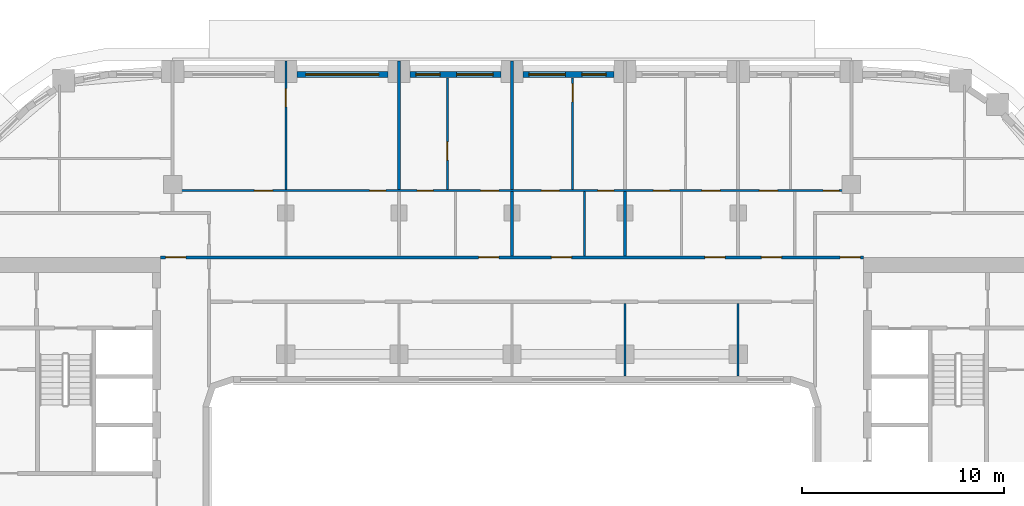
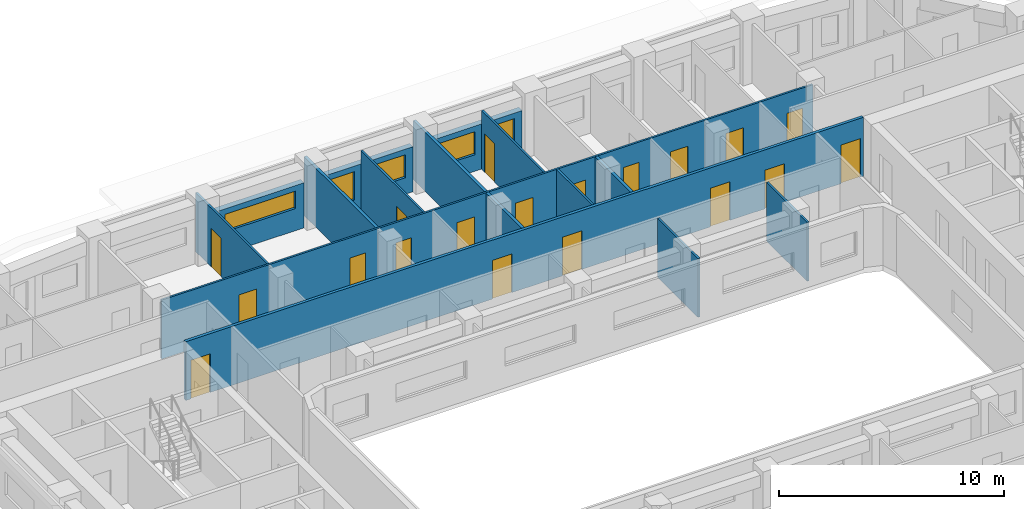
# One storey, part 8 of 22: 19 doors, 15 walls, 5 windows, 24 openings.
"""IFC4 building model written with IfcOpenShell, lengths in metres."""

from ifc_helpers import new_model, si_unit, direction, frame, frame_2d, origin, place, context, subcontext, project, spatial, rectangle, extrude, material, layer, layer_set, type_object, element, fill, save


model = new_model("IFC4")

# Units and contexts
model_context = context("Model", 3, precision=1e-05, world=origin(), true_north=direction((0.0, 1.0)))
body_context = subcontext(model_context, "Body", "Model", "MODEL_VIEW")
ifc_project = project(units=[si_unit("LENGTHUNIT", "METRE"), si_unit("AREAUNIT", "SQUARE_METRE"), si_unit("VOLUMEUNIT", "CUBIC_METRE"), si_unit("PLANEANGLEUNIT", "RADIAN"), si_unit("MASSUNIT", "GRAM", prefix="KILO")], contexts=[model_context])

# Site, building, storey
site_placement = place(None, origin())
site = spatial("IfcSite", under=ifc_project, at=site_placement, CompositionType="ELEMENT")
building_placement = place(site_placement, origin())
building = spatial("IfcBuilding", under=site, at=building_placement, Name="Kiln Ring Residences", CompositionType="ELEMENT")
storey_placement = place(building_placement, frame((0.0, 0.0, 139.60009765625)))
storey = spatial("IfcBuildingStorey", under=building, at=storey_placement, Name="L35", CompositionType="ELEMENT", Elevation=139.60009765625)

# Wall, openings, windows
ifc_material_1 = material(Name="Brick masonry, dark clay brick", Category="masonry")
ifc_layer_1 = layer(ifc_material_1, 0.300048828125)
ifc_layer_set_1 = layer_set([ifc_layer_1], Name="EW-300 BRICK WALL")
wall_type_1 = type_object("IfcWallType", Name="EW-300 BRICK WALL", PredefinedType="SOLIDWALL", material=ifc_layer_set_1)
wall_1_placement = place(storey_placement, frame((5.050048828125, 22.25, 0.0), z_axis=(0.0, 0.0, 1.0), x_axis=(-1.0, 0.0, 0.0)))
wall_1 = element("IfcWall", 1, at=wall_1_placement, inside=storey, type_object=wall_type_1, Name="Facade wall L35 31", PredefinedType="SOLIDWALL", context=body_context, shape_type="SweptSolid", body=[
    extrude(rectangle(XDim=4.5, YDim=0.300048828125, at=frame_2d((2.25, 0.0))), origin(), (0.0, 0.0, 1.0), 2.449951171875),
])
opening_1_placement = place(wall_1_placement, frame((0.387451171875, 0.0, 0.60009765625)))
opening_1 = element("IfcOpeningElement", 2, at=opening_1_placement, cuts=wall_1, Name="Opening W1", PredefinedType="OPENING", context=body_context, shape_type="SweptSolid", body=[
    extrude(rectangle(XDim=1.199951171875, YDim=1.550048828125, at=frame_2d((0.60009765625, 0.77490234375))), frame((0.0, 0.159912109375, 0.0), z_axis=(0.0, -1.0, 0.0), x_axis=(1.0, 0.0, 0.0)), (0.0, 0.0, 1.0), 0.320068359375),
])
opening_2_placement = place(wall_1_placement, frame((2.41259765625, 0.0, 0.89990234375)))
opening_2 = element("IfcOpeningElement", 3, at=opening_2_placement, cuts=wall_1, Name="Opening W2", PredefinedType="OPENING", context=body_context, shape_type="SweptSolid", body=[
    extrude(rectangle(XDim=1.800048828125, YDim=1.25, at=frame_2d((0.89990234375, 0.625))), frame((0.0, 0.159912109375, 0.0), z_axis=(0.0, -1.0, 0.0), x_axis=(1.0, 0.0, 0.0)), (0.0, 0.0, 1.0), 0.320068359375),
])
ifc_material_2 = material(Name="Aluminium frame with double glazing", Category="aluminium")
window_type_1 = type_object("IfcWindowType", Name="WINDOW 1200 x 1550", PartitioningType="SINGLE_PANEL", PredefinedType="WINDOW", material=ifc_material_2)
window_1_placement = place(opening_1_placement, origin())
window_1 = element("IfcWindow", 4, at=window_1_placement, inside=storey, type_object=window_type_1, Name="Window L35 23", OverallHeight=1.550048828125, OverallWidth=1.199951171875, PartitioningType="SINGLE_PANEL", PredefinedType="WINDOW", context=body_context, shape_type="SweptSolid", body=[
    extrude(rectangle(XDim=1.199951171875, YDim=1.550048828125, at=frame_2d((0.60009765625, 0.77490234375))), frame((0.0, 0.030029296875, 0.0), z_axis=(0.0, -1.0, 0.0), x_axis=(1.0, 0.0, 0.0)), (0.0, 0.0, 1.0), 0.06005859375),
])
fill(opening_1, window_1)
ifc_material_3 = material(Name="Aluminium frame with double glazing", Category="aluminium")
window_type_2 = type_object("IfcWindowType", Name="WINDOW 1800 x 1250", PartitioningType="SINGLE_PANEL", PredefinedType="WINDOW", material=ifc_material_3)
window_2_placement = place(opening_2_placement, origin())
window_2 = element("IfcWindow", 5, at=window_2_placement, inside=storey, type_object=window_type_2, Name="Window L35 24", OverallHeight=1.25, OverallWidth=1.800048828125, PartitioningType="SINGLE_PANEL", PredefinedType="WINDOW", context=body_context, shape_type="SweptSolid", body=[
    extrude(rectangle(XDim=1.800048828125, YDim=1.25, at=frame_2d((0.89990234375, 0.625))), frame((0.0, 0.030029296875, 0.0), z_axis=(0.0, -1.0, 0.0), x_axis=(1.0, 0.0, 0.0)), (0.0, 0.0, 1.0), 0.06005859375),
])
fill(opening_2, window_2)

wall_2_placement = place(storey_placement, frame((-0.550048828125, 22.25, 0.0), z_axis=(0.0, 0.0, 1.0), x_axis=(-1.0, 0.0, 0.0)))
wall_2 = element("IfcWall", 6, at=wall_2_placement, inside=storey, type_object=wall_type_1, Name="Facade wall L35 32", PredefinedType="SOLIDWALL", context=body_context, shape_type="SweptSolid", body=[
    extrude(rectangle(XDim=4.5, YDim=0.300048828125, at=frame_2d((2.25, 0.0))), origin(), (0.0, 0.0, 1.0), 2.449951171875),
])
opening_3_placement = place(wall_2_placement, frame((0.387451171875, 0.0, 0.89990234375)))
opening_3 = element("IfcOpeningElement", 7, at=opening_3_placement, cuts=wall_2, Name="Opening W2", PredefinedType="OPENING", context=body_context, shape_type="SweptSolid", body=[
    extrude(rectangle(XDim=1.800048828125, YDim=1.25, at=frame_2d((0.89990234375, 0.625))), frame((0.0, 0.159912109375, 0.0), z_axis=(0.0, -1.0, 0.0), x_axis=(1.0, 0.0, 0.0)), (0.0, 0.0, 1.0), 0.320068359375),
])
opening_4_placement = place(wall_2_placement, frame((3.012451171875, 0.0, 0.60009765625)))
opening_4 = element("IfcOpeningElement", 8, at=opening_4_placement, cuts=wall_2, Name="Opening W1", PredefinedType="OPENING", context=body_context, shape_type="SweptSolid", body=[
    extrude(rectangle(XDim=1.199951171875, YDim=1.550048828125, at=frame_2d((0.60009765625, 0.77490234375))), frame((0.0, 0.159912109375, 0.0), z_axis=(0.0, -1.0, 0.0), x_axis=(1.0, 0.0, 0.0)), (0.0, 0.0, 1.0), 0.320068359375),
])
window_3_placement = place(opening_4_placement, origin())
window_3 = element("IfcWindow", 9, at=window_3_placement, inside=storey, type_object=window_type_1, Name="Window L35 26", OverallHeight=1.550048828125, OverallWidth=1.199951171875, PartitioningType="SINGLE_PANEL", PredefinedType="WINDOW", context=body_context, shape_type="SweptSolid", body=[
    extrude(rectangle(XDim=1.199951171875, YDim=1.550048828125, at=frame_2d((0.60009765625, 0.77490234375))), frame((0.0, 0.030029296875, 0.0), z_axis=(0.0, -1.0, 0.0), x_axis=(1.0, 0.0, 0.0)), (0.0, 0.0, 1.0), 0.06005859375),
])
fill(opening_4, window_3)
window_4_placement = place(opening_3_placement, origin())
window_4 = element("IfcWindow", 10, at=window_4_placement, inside=storey, type_object=window_type_2, Name="Window L35 25", OverallHeight=1.25, OverallWidth=1.800048828125, PartitioningType="SINGLE_PANEL", PredefinedType="WINDOW", context=body_context, shape_type="SweptSolid", body=[
    extrude(rectangle(XDim=1.800048828125, YDim=1.25, at=frame_2d((0.89990234375, 0.625))), frame((0.0, 0.030029296875, 0.0), z_axis=(0.0, -1.0, 0.0), x_axis=(1.0, 0.0, 0.0)), (0.0, 0.0, 1.0), 0.06005859375),
])
fill(opening_3, window_4)

# Wall, opening, window
wall_3_placement = place(storey_placement, frame((-6.14990234375, 22.25, 0.0), z_axis=(0.0, 0.0, 1.0), x_axis=(-1.0, 0.0, 0.0)))
wall_3 = element("IfcWall", 11, at=wall_3_placement, inside=storey, type_object=wall_type_1, Name="Facade wall L35 33", PredefinedType="SOLIDWALL", context=body_context, shape_type="SweptSolid", body=[
    extrude(rectangle(XDim=4.5, YDim=0.300048828125, at=frame_2d((2.25, 0.0))), origin(), (0.0, 0.0, 1.0), 2.449951171875),
])
opening_5_placement = place(wall_3_placement, frame((0.449951171875, 0.0, 1.199951171875)))
opening_5 = element("IfcOpeningElement", 12, at=opening_5_placement, cuts=wall_3, Name="Opening W4", PredefinedType="OPENING", context=body_context, shape_type="SweptSolid", body=[
    extrude(rectangle(XDim=3.60009765625, YDim=0.949951171875, at=frame_2d((1.800048828125, 0.47509765625))), frame((0.0, 0.159912109375, 0.0), z_axis=(0.0, -1.0, 0.0), x_axis=(1.0, 0.0, 0.0)), (0.0, 0.0, 1.0), 0.320068359375),
])
ifc_material_4 = material(Name="Aluminium frame with double glazing", Category="aluminium")
window_type_3 = type_object("IfcWindowType", Name="WINDOW 3600 x 950", PartitioningType="SINGLE_PANEL", PredefinedType="WINDOW", material=ifc_material_4)
window_5_placement = place(opening_5_placement, origin())
window_5 = element("IfcWindow", 13, at=window_5_placement, inside=storey, type_object=window_type_3, Name="Window L35 27", OverallHeight=0.949951171875, OverallWidth=3.60009765625, PartitioningType="SINGLE_PANEL", PredefinedType="WINDOW", context=body_context, shape_type="SweptSolid", body=[
    extrude(rectangle(XDim=3.60009765625, YDim=0.949951171875, at=frame_2d((1.800048828125, 0.47509765625))), frame((0.0, 0.030029296875, 0.0), z_axis=(0.0, -1.0, 0.0), x_axis=(1.0, 0.0, 0.0)), (0.0, 0.0, 1.0), 0.06005859375),
])
fill(opening_5, window_5)

# Wall, openings, doors
ifc_material_5 = material(Name="Gypsum board on steel studs", Category="steel")
ifc_layer_2 = layer(ifc_material_5, 0.10009765625)
ifc_layer_set_2 = layer_set([ifc_layer_2], Name="PARTITION-100")
wall_type_2 = type_object("IfcWallType", Name="PARTITION-100", PredefinedType="PARTITIONING", material=ifc_layer_set_2)
wall_4_placement = place(storey_placement, frame((-16.72509765625, 16.5, 0.0), z_axis=(0.0, 0.0, 1.0), x_axis=(1.0, 0.0, 0.0)))
wall_4 = element("IfcWall", 14, at=wall_4_placement, inside=storey, type_object=wall_type_2, Name="Partition 011", PredefinedType="PARTITIONING", context=body_context, shape_type="SweptSolid", body=[
    extrude(rectangle(XDim=33.4501953125, YDim=0.10009765625, at=frame_2d((16.72509765625, 0.0))), origin(), (0.0, 0.0, 1.0), 3.199951171875),
])
opening_6_placement = place(wall_4_placement, frame((9.675048828125, 0.0, 0.0)))
opening_6 = element("IfcOpeningElement", 15, at=opening_6_placement, cuts=wall_4, Name="Opening L35-D016", PredefinedType="OPENING", context=body_context, shape_type="SweptSolid", body=[
    extrude(rectangle(XDim=0.800048828125, YDim=2.10009765625, at=frame_2d((0.39990234375, 1.050048828125))), frame((0.0, 0.06005859375, 0.0), z_axis=(0.0, -1.0, 0.0), x_axis=(1.0, 0.0, 0.0)), (0.0, 0.0, 1.0), 0.1201171875),
])
opening_7_placement = place(wall_4_placement, frame((3.97509765625, 0.0, 0.0)))
opening_7 = element("IfcOpeningElement", 16, at=opening_7_placement, cuts=wall_4, Name="Opening L35-D017", PredefinedType="OPENING", context=body_context, shape_type="SweptSolid", body=[
    extrude(rectangle(XDim=0.89990234375, YDim=2.10009765625, at=frame_2d((0.449951171875, 1.050048828125))), frame((0.0, 0.06005859375, 0.0), z_axis=(0.0, -1.0, 0.0), x_axis=(1.0, 0.0, 0.0)), (0.0, 0.0, 1.0), 0.1201171875),
])
opening_8_placement = place(wall_4_placement, frame((12.02490234375, 0.0, 0.0)))
opening_8 = element("IfcOpeningElement", 17, at=opening_8_placement, cuts=wall_4, Name="Opening L35-D020", PredefinedType="OPENING", context=body_context, shape_type="SweptSolid", body=[
    extrude(rectangle(XDim=0.800048828125, YDim=2.10009765625, at=frame_2d((0.39990234375, 1.050048828125))), frame((0.0, 0.06005859375, 0.0), z_axis=(0.0, -1.0, 0.0), x_axis=(1.0, 0.0, 0.0)), (0.0, 0.0, 1.0), 0.1201171875),
])
opening_9_placement = place(wall_4_placement, frame((15.175048828125, 0.0, 0.0)))
opening_9 = element("IfcOpeningElement", 18, at=opening_9_placement, cuts=wall_4, Name="Opening L35-D021", PredefinedType="OPENING", context=body_context, shape_type="SweptSolid", body=[
    extrude(rectangle(XDim=0.89990234375, YDim=2.10009765625, at=frame_2d((0.449951171875, 1.050048828125))), frame((0.0, 0.06005859375, 0.0), z_axis=(0.0, -1.0, 0.0), x_axis=(1.0, 0.0, 0.0)), (0.0, 0.0, 1.0), 0.1201171875),
])
opening_10_placement = place(wall_4_placement, frame((20.97509765625, 0.0, 0.0)))
opening_10 = element("IfcOpeningElement", 19, at=opening_10_placement, cuts=wall_4, Name="Opening L35-D024", PredefinedType="OPENING", context=body_context, shape_type="SweptSolid", body=[
    extrude(rectangle(XDim=0.800048828125, YDim=2.10009765625, at=frame_2d((0.39990234375, 1.050048828125))), frame((0.0, 0.06005859375, 0.0), z_axis=(0.0, -1.0, 0.0), x_axis=(1.0, 0.0, 0.0)), (0.0, 0.0, 1.0), 0.1201171875),
])
opening_11_placement = place(wall_4_placement, frame((18.175048828125, 0.0, 0.0)))
opening_11 = element("IfcOpeningElement", 20, at=opening_11_placement, cuts=wall_4, Name="Opening L35-D025", PredefinedType="OPENING", context=body_context, shape_type="SweptSolid", body=[
    extrude(rectangle(XDim=0.89990234375, YDim=2.10009765625, at=frame_2d((0.449951171875, 1.050048828125))), frame((0.0, 0.06005859375, 0.0), z_axis=(0.0, -1.0, 0.0), x_axis=(1.0, 0.0, 0.0)), (0.0, 0.0, 1.0), 0.1201171875),
])
opening_12_placement = place(wall_4_placement, frame((23.72509765625, 0.0, 0.0)))
opening_12 = element("IfcOpeningElement", 21, at=opening_12_placement, cuts=wall_4, Name="Opening L35-D028", PredefinedType="OPENING", context=body_context, shape_type="SweptSolid", body=[
    extrude(rectangle(XDim=0.800048828125, YDim=2.10009765625, at=frame_2d((0.39990234375, 1.050048828125))), frame((0.0, 0.06005859375, 0.0), z_axis=(0.0, -1.0, 0.0), x_axis=(1.0, 0.0, 0.0)), (0.0, 0.0, 1.0), 0.1201171875),
])
opening_13_placement = place(wall_4_placement, frame((26.125, 0.0, 0.0)))
opening_13 = element("IfcOpeningElement", 22, at=opening_13_placement, cuts=wall_4, Name="Opening L35-D029", PredefinedType="OPENING", context=body_context, shape_type="SweptSolid", body=[
    extrude(rectangle(XDim=0.89990234375, YDim=2.10009765625, at=frame_2d((0.449951171875, 1.050048828125))), frame((0.0, 0.06005859375, 0.0), z_axis=(0.0, -1.0, 0.0), x_axis=(1.0, 0.0, 0.0)), (0.0, 0.0, 1.0), 0.1201171875),
])
opening_14_placement = place(wall_4_placement, frame((32.125, 0.0, 0.0)))
opening_14 = element("IfcOpeningElement", 23, at=opening_14_placement, cuts=wall_4, Name="Opening L35-D032", PredefinedType="OPENING", context=body_context, shape_type="SweptSolid", body=[
    extrude(rectangle(XDim=0.800048828125, YDim=2.10009765625, at=frame_2d((0.39990234375, 1.050048828125))), frame((0.0, 0.06005859375, 0.0), z_axis=(0.0, -1.0, 0.0), x_axis=(1.0, 0.0, 0.0)), (0.0, 0.0, 1.0), 0.1201171875),
])
opening_15_placement = place(wall_4_placement, frame((28.97509765625, 0.0, 0.0)))
opening_15 = element("IfcOpeningElement", 24, at=opening_15_placement, cuts=wall_4, Name="Opening L35-D033", PredefinedType="OPENING", context=body_context, shape_type="SweptSolid", body=[
    extrude(rectangle(XDim=0.89990234375, YDim=2.10009765625, at=frame_2d((0.449951171875, 1.050048828125))), frame((0.0, 0.06005859375, 0.0), z_axis=(0.0, -1.0, 0.0), x_axis=(1.0, 0.0, 0.0)), (0.0, 0.0, 1.0), 0.1201171875),
])
ifc_material_6 = material(Name="Timber door leaf", Category="wood")
door_type_1 = type_object("IfcDoorType", Name="FLAT-DOOR-800-PL", OperationType="SINGLE_SWING_LEFT", PredefinedType="DOOR", material=ifc_material_6)
door_1_placement = place(opening_6_placement, origin())
door_1 = element("IfcDoor", 25, at=door_1_placement, inside=storey, type_object=door_type_1, Name="Door L35-D016", OperationType="SINGLE_SWING_RIGHT", OverallHeight=2.10009765625, OverallWidth=0.800048828125, PredefinedType="DOOR", context=body_context, shape_type="SweptSolid", body=[
    extrude(rectangle(XDim=0.800048828125, YDim=2.10009765625, at=frame_2d((0.39990234375, 1.050048828125))), frame((0.0, 0.02490234375, 0.0), z_axis=(0.0, -1.0, 0.0), x_axis=(1.0, 0.0, 0.0)), (0.0, 0.0, 1.0), 0.050048828125),
])
fill(opening_6, door_1)
door_2_placement = place(opening_8_placement, origin())
door_2 = element("IfcDoor", 26, at=door_2_placement, inside=storey, type_object=door_type_1, Name="Door L35-D020", OperationType="SINGLE_SWING_RIGHT", OverallHeight=2.10009765625, OverallWidth=0.800048828125, PredefinedType="DOOR", context=body_context, shape_type="SweptSolid", body=[
    extrude(rectangle(XDim=0.800048828125, YDim=2.10009765625, at=frame_2d((0.39990234375, 1.050048828125))), frame((0.0, 0.02490234375, 0.0), z_axis=(0.0, -1.0, 0.0), x_axis=(1.0, 0.0, 0.0)), (0.0, 0.0, 1.0), 0.050048828125),
])
fill(opening_8, door_2)
door_3_placement = place(opening_10_placement, origin())
door_3 = element("IfcDoor", 27, at=door_3_placement, inside=storey, type_object=door_type_1, Name="Door L35-D024", OperationType="SINGLE_SWING_RIGHT", OverallHeight=2.10009765625, OverallWidth=0.800048828125, PredefinedType="DOOR", context=body_context, shape_type="SweptSolid", body=[
    extrude(rectangle(XDim=0.800048828125, YDim=2.10009765625, at=frame_2d((0.39990234375, 1.050048828125))), frame((0.0, 0.02490234375, 0.0), z_axis=(0.0, -1.0, 0.0), x_axis=(1.0, 0.0, 0.0)), (0.0, 0.0, 1.0), 0.050048828125),
])
fill(opening_10, door_3)
door_4_placement = place(opening_12_placement, origin())
door_4 = element("IfcDoor", 28, at=door_4_placement, inside=storey, type_object=door_type_1, Name="Door L35-D028", OperationType="SINGLE_SWING_RIGHT", OverallHeight=2.10009765625, OverallWidth=0.800048828125, PredefinedType="DOOR", context=body_context, shape_type="SweptSolid", body=[
    extrude(rectangle(XDim=0.800048828125, YDim=2.10009765625, at=frame_2d((0.39990234375, 1.050048828125))), frame((0.0, 0.02490234375, 0.0), z_axis=(0.0, -1.0, 0.0), x_axis=(1.0, 0.0, 0.0)), (0.0, 0.0, 1.0), 0.050048828125),
])
fill(opening_12, door_4)
door_5_placement = place(opening_14_placement, origin())
door_5 = element("IfcDoor", 29, at=door_5_placement, inside=storey, type_object=door_type_1, Name="Door L35-D032", OperationType="SINGLE_SWING_RIGHT", OverallHeight=2.10009765625, OverallWidth=0.800048828125, PredefinedType="DOOR", context=body_context, shape_type="SweptSolid", body=[
    extrude(rectangle(XDim=0.800048828125, YDim=2.10009765625, at=frame_2d((0.39990234375, 1.050048828125))), frame((0.0, 0.02490234375, 0.0), z_axis=(0.0, -1.0, 0.0), x_axis=(1.0, 0.0, 0.0)), (0.0, 0.0, 1.0), 0.050048828125),
])
fill(opening_14, door_5)
ifc_material_7 = material(Name="Timber door leaf", Category="wood")
door_type_2 = type_object("IfcDoorType", Name="FLAT-DOOR-900-PL", OperationType="SINGLE_SWING_LEFT", PredefinedType="DOOR", material=ifc_material_7)
door_6_placement = place(opening_7_placement, origin())
door_6 = element("IfcDoor", 30, at=door_6_placement, inside=storey, type_object=door_type_2, Name="Door L35-D017", OperationType="SINGLE_SWING_LEFT", OverallHeight=2.10009765625, OverallWidth=0.89990234375, PredefinedType="DOOR", context=body_context, shape_type="SweptSolid", body=[
    extrude(rectangle(XDim=0.89990234375, YDim=2.10009765625, at=frame_2d((0.449951171875, 1.050048828125))), frame((0.0, 0.02490234375, 0.0), z_axis=(0.0, -1.0, 0.0), x_axis=(1.0, 0.0, 0.0)), (0.0, 0.0, 1.0), 0.050048828125),
])
fill(opening_7, door_6)
door_7_placement = place(opening_9_placement, origin())
door_7 = element("IfcDoor", 31, at=door_7_placement, inside=storey, type_object=door_type_2, Name="Door L35-D021", OperationType="SINGLE_SWING_LEFT", OverallHeight=2.10009765625, OverallWidth=0.89990234375, PredefinedType="DOOR", context=body_context, shape_type="SweptSolid", body=[
    extrude(rectangle(XDim=0.89990234375, YDim=2.10009765625, at=frame_2d((0.449951171875, 1.050048828125))), frame((0.0, 0.02490234375, 0.0), z_axis=(0.0, -1.0, 0.0), x_axis=(1.0, 0.0, 0.0)), (0.0, 0.0, 1.0), 0.050048828125),
])
fill(opening_9, door_7)
door_8_placement = place(opening_11_placement, origin())
door_8 = element("IfcDoor", 32, at=door_8_placement, inside=storey, type_object=door_type_2, Name="Door L35-D025", OperationType="SINGLE_SWING_LEFT", OverallHeight=2.10009765625, OverallWidth=0.89990234375, PredefinedType="DOOR", context=body_context, shape_type="SweptSolid", body=[
    extrude(rectangle(XDim=0.89990234375, YDim=2.10009765625, at=frame_2d((0.449951171875, 1.050048828125))), frame((0.0, 0.02490234375, 0.0), z_axis=(0.0, -1.0, 0.0), x_axis=(1.0, 0.0, 0.0)), (0.0, 0.0, 1.0), 0.050048828125),
])
fill(opening_11, door_8)
door_9_placement = place(opening_13_placement, origin())
door_9 = element("IfcDoor", 33, at=door_9_placement, inside=storey, type_object=door_type_2, Name="Door L35-D029", OperationType="SINGLE_SWING_LEFT", OverallHeight=2.10009765625, OverallWidth=0.89990234375, PredefinedType="DOOR", context=body_context, shape_type="SweptSolid", body=[
    extrude(rectangle(XDim=0.89990234375, YDim=2.10009765625, at=frame_2d((0.449951171875, 1.050048828125))), frame((0.0, 0.02490234375, 0.0), z_axis=(0.0, -1.0, 0.0), x_axis=(1.0, 0.0, 0.0)), (0.0, 0.0, 1.0), 0.050048828125),
])
fill(opening_13, door_9)
door_10_placement = place(opening_15_placement, origin())
door_10 = element("IfcDoor", 34, at=door_10_placement, inside=storey, type_object=door_type_2, Name="Door L35-D033", OperationType="SINGLE_SWING_LEFT", OverallHeight=2.10009765625, OverallWidth=0.89990234375, PredefinedType="DOOR", context=body_context, shape_type="SweptSolid", body=[
    extrude(rectangle(XDim=0.89990234375, YDim=2.10009765625, at=frame_2d((0.449951171875, 1.050048828125))), frame((0.0, 0.02490234375, 0.0), z_axis=(0.0, -1.0, 0.0), x_axis=(1.0, 0.0, 0.0)), (0.0, 0.0, 1.0), 0.050048828125),
])
fill(opening_15, door_10)

# Wall, opening, door
wall_5_placement = place(storey_placement, frame((-11.199951171875, 16.550048828125, 0.0), z_axis=(0.0, 0.0, 1.0), x_axis=(0.0, 1.0, 0.0)))
wall_5 = element("IfcWall", 35, at=wall_5_placement, inside=storey, type_object=wall_type_2, Name="Partition 029", PredefinedType="PARTITIONING", context=body_context, shape_type="SweptSolid", body=[
    extrude(rectangle(XDim=6.3798828125, YDim=0.10009765625, at=frame_2d((3.18994140625, 0.0))), origin(), (0.0, 0.0, 1.0), 3.199951171875),
])
opening_16_placement = place(wall_5_placement, frame((4.10009765625, 0.0, 0.0)))
opening_16 = element("IfcOpeningElement", 36, at=opening_16_placement, cuts=wall_5, Name="Opening L35-D018", PredefinedType="OPENING", context=body_context, shape_type="SweptSolid", body=[
    extrude(rectangle(XDim=0.89990234375, YDim=2.10009765625, at=frame_2d((0.449951171875, 1.050048828125))), frame((0.0, 0.06005859375, 0.0), z_axis=(0.0, -1.0, 0.0), x_axis=(1.0, 0.0, 0.0)), (0.0, 0.0, 1.0), 0.1201171875),
])
door_11_placement = place(opening_16_placement, origin())
door_11 = element("IfcDoor", 37, at=door_11_placement, inside=storey, type_object=door_type_2, Name="Door L35-D018", OperationType="SINGLE_SWING_RIGHT", OverallHeight=2.10009765625, OverallWidth=0.89990234375, PredefinedType="DOOR", context=body_context, shape_type="SweptSolid", body=[
    extrude(rectangle(XDim=0.89990234375, YDim=2.10009765625, at=frame_2d((0.449951171875, 1.050048828125))), frame((0.0, 0.02490234375, 0.0), z_axis=(0.0, -1.0, 0.0), x_axis=(1.0, 0.0, 0.0)), (0.0, 0.0, 1.0), 0.050048828125),
])
fill(opening_16, door_11)

wall_6_placement = place(storey_placement, frame((-3.199951171875, 16.550048828125, 0.0), z_axis=(0.0, 0.0, 1.0), x_axis=(0.0, 1.0, 0.0)))
wall_6 = element("IfcWall", 38, at=wall_6_placement, inside=storey, type_object=wall_type_2, Name="Partition 036", PredefinedType="PARTITIONING", context=body_context, shape_type="SweptSolid", body=[
    extrude(rectangle(XDim=5.530029296875, YDim=0.10009765625, at=frame_2d((2.76513671875, 0.0))), origin(), (0.0, 0.0, 1.0), 3.199951171875),
])
opening_17_placement = place(wall_6_placement, frame((1.4599609375, 0.0, 0.0)))
opening_17 = element("IfcOpeningElement", 39, at=opening_17_placement, cuts=wall_6, Name="Opening L35-D022", PredefinedType="OPENING", context=body_context, shape_type="SweptSolid", body=[
    extrude(rectangle(XDim=0.89990234375, YDim=2.10009765625, at=frame_2d((0.449951171875, 1.050048828125))), frame((0.0, 0.06005859375, 0.0), z_axis=(0.0, -1.0, 0.0), x_axis=(1.0, 0.0, 0.0)), (0.0, 0.0, 1.0), 0.1201171875),
])
door_12_placement = place(opening_17_placement, origin())
door_12 = element("IfcDoor", 40, at=door_12_placement, inside=storey, type_object=door_type_2, Name="Door L35-D022", OperationType="SINGLE_SWING_RIGHT", OverallHeight=2.10009765625, OverallWidth=0.89990234375, PredefinedType="DOOR", context=body_context, shape_type="SweptSolid", body=[
    extrude(rectangle(XDim=0.89990234375, YDim=2.10009765625, at=frame_2d((0.449951171875, 1.050048828125))), frame((0.0, 0.02490234375, 0.0), z_axis=(0.0, -1.0, 0.0), x_axis=(1.0, 0.0, 0.0)), (0.0, 0.0, 1.0), 0.050048828125),
])
fill(opening_17, door_12)

wall_7_placement = place(storey_placement, frame((3.0, 16.550048828125, 0.0), z_axis=(0.0, 0.0, 1.0), x_axis=(0.0, 1.0, 0.0)))
wall_7 = element("IfcWall", 41, at=wall_7_placement, inside=storey, type_object=wall_type_2, Name="Partition 047", PredefinedType="PARTITIONING", context=body_context, shape_type="SweptSolid", body=[
    extrude(rectangle(XDim=5.530029296875, YDim=0.10009765625, at=frame_2d((2.76513671875, 0.0))), origin(), (0.0, 0.0, 1.0), 3.199951171875),
])
opening_18_placement = place(wall_7_placement, frame((4.35009765625, 0.0, 0.0)))
opening_18 = element("IfcOpeningElement", 42, at=opening_18_placement, cuts=wall_7, Name="Opening L35-D026", PredefinedType="OPENING", context=body_context, shape_type="SweptSolid", body=[
    extrude(rectangle(XDim=0.89990234375, YDim=2.10009765625, at=frame_2d((0.449951171875, 1.050048828125))), frame((0.0, 0.06005859375, 0.0), z_axis=(0.0, -1.0, 0.0), x_axis=(1.0, 0.0, 0.0)), (0.0, 0.0, 1.0), 0.1201171875),
])
door_13_placement = place(opening_18_placement, origin())
door_13 = element("IfcDoor", 43, at=door_13_placement, inside=storey, type_object=door_type_2, Name="Door L35-D026", OperationType="SINGLE_SWING_RIGHT", OverallHeight=2.10009765625, OverallWidth=0.89990234375, PredefinedType="DOOR", context=body_context, shape_type="SweptSolid", body=[
    extrude(rectangle(XDim=0.89990234375, YDim=2.10009765625, at=frame_2d((0.449951171875, 1.050048828125))), frame((0.0, 0.02490234375, 0.0), z_axis=(0.0, -1.0, 0.0), x_axis=(1.0, 0.0, 0.0)), (0.0, 0.0, 1.0), 0.050048828125),
])
fill(opening_18, door_13)

# Walls
wall_8_placement = place(storey_placement, frame((3.60009765625, 13.27490234375, 0.0), z_axis=(0.0, 0.0, 1.0), x_axis=(0.0, 1.0, 0.0)))
element("IfcWall", 44, at=wall_8_placement, inside=storey, type_object=wall_type_2, Name="Partition 048", PredefinedType="PARTITIONING", context=body_context, shape_type="SweptSolid", body=[
    extrude(rectangle(XDim=3.175048828125, YDim=0.10009765625, at=frame_2d((1.58740234375, 0.0))), origin(), (0.0, 0.0, 1.0), 3.199951171875),
])
for number, where, z_axis, x_axis, name in (
    (45, (5.60009765625, 7.320068359375, 0.0), (0.0, 0.0, 1.0), (0.0, 1.0, 0.0), "Partition 050"),
    (46, (11.199951171875, 7.320068359375, 0.0), (0.0, 0.0, 1.0), (0.0, 1.0, 0.0), "Partition 061"),
):
    element("IfcWall", number, at=place(storey_placement, frame(where, z_axis=z_axis, x_axis=x_axis)), inside=storey, type_object=wall_type_2, Name=name, PredefinedType="PARTITIONING", context=body_context, shape_type="SweptSolid", body=[
        extrude(rectangle(XDim=3.60498046875, YDim=0.10009765625, at=frame_2d((1.802490234375, 0.0))), origin(), (0.0, 0.0, 1.0), 3.199951171875),
    ])

# Wall, openings, doors
ifc_material_8 = material(Name="Brick masonry partition", Category="masonry")
ifc_layer_3 = layer(ifc_material_8, 0.14990234375)
ifc_layer_set_3 = layer_set([ifc_layer_3], Name="PARTITION-150-ei60")
wall_type_3 = type_object("IfcWallType", Name="PARTITION-150-ei60", PredefinedType="PARTITIONING", material=ifc_layer_set_3)
wall_9_placement = place(storey_placement, frame((-17.39990234375, 13.199951171875, 0.0), z_axis=(0.0, 0.0, 1.0), x_axis=(1.0, 0.0, 0.0)))
wall_9 = element("IfcWall", 47, at=wall_9_placement, inside=storey, type_object=wall_type_3, Name="Partition 008", PredefinedType="PARTITIONING", context=body_context, shape_type="SweptSolid", body=[
    extrude(rectangle(XDim=34.7998046875, YDim=0.14990234375, at=frame_2d((17.39990234375, 0.0))), origin(), (0.0, 0.0, 1.0), 3.199951171875),
])
opening_19_placement = place(wall_9_placement, frame((0.25, 0.0, 0.0)))
opening_19 = element("IfcOpeningElement", 48, at=opening_19_placement, cuts=wall_9, Name="Opening L35-D003", PredefinedType="OPENING", context=body_context, shape_type="SweptSolid", body=[
    extrude(rectangle(XDim=1.0, YDim=2.10009765625, at=frame_2d((0.5, 1.050048828125))), frame((0.0, 0.0849609375, 0.0), z_axis=(0.0, -1.0, 0.0), x_axis=(1.0, 0.0, 0.0)), (0.0, 0.0, 1.0), 0.169921875),
])
opening_20_placement = place(wall_9_placement, frame((33.64990234375, 0.0, 0.0)))
opening_20 = element("IfcOpeningElement", 49, at=opening_20_placement, cuts=wall_9, Name="Opening L35-D004", PredefinedType="OPENING", context=body_context, shape_type="SweptSolid", body=[
    extrude(rectangle(XDim=1.0, YDim=2.10009765625, at=frame_2d((0.5, 1.050048828125))), frame((0.0, 0.0849609375, 0.0), z_axis=(0.0, -1.0, 0.0), x_axis=(1.0, 0.0, 0.0)), (0.0, 0.0, 1.0), 0.169921875),
])
opening_21_placement = place(wall_9_placement, frame((15.75, 0.0, 0.0)))
opening_21 = element("IfcOpeningElement", 50, at=opening_21_placement, cuts=wall_9, Name="Opening L35-D019", PredefinedType="OPENING", context=body_context, shape_type="SweptSolid", body=[
    extrude(rectangle(XDim=1.0, YDim=2.10009765625, at=frame_2d((0.5, 1.050048828125))), frame((0.0, 0.0849609375, 0.0), z_axis=(0.0, -1.0, 0.0), x_axis=(1.0, 0.0, 0.0)), (0.0, 0.0, 1.0), 0.169921875),
])
opening_22_placement = place(wall_9_placement, frame((19.35009765625, 0.0, 0.0)))
opening_22 = element("IfcOpeningElement", 51, at=opening_22_placement, cuts=wall_9, Name="Opening L35-D023", PredefinedType="OPENING", context=body_context, shape_type="SweptSolid", body=[
    extrude(rectangle(XDim=1.0, YDim=2.10009765625, at=frame_2d((0.5, 1.050048828125))), frame((0.0, 0.0849609375, 0.0), z_axis=(0.0, -1.0, 0.0), x_axis=(1.0, 0.0, 0.0)), (0.0, 0.0, 1.0), 0.169921875),
])
opening_23_placement = place(wall_9_placement, frame((26.949951171875, 0.0, 0.0)))
opening_23 = element("IfcOpeningElement", 52, at=opening_23_placement, cuts=wall_9, Name="Opening L35-D027", PredefinedType="OPENING", context=body_context, shape_type="SweptSolid", body=[
    extrude(rectangle(XDim=1.0, YDim=2.10009765625, at=frame_2d((0.5, 1.050048828125))), frame((0.0, 0.0849609375, 0.0), z_axis=(0.0, -1.0, 0.0), x_axis=(1.0, 0.0, 0.0)), (0.0, 0.0, 1.0), 0.169921875),
])
opening_24_placement = place(wall_9_placement, frame((29.75, 0.0, 0.0)))
opening_24 = element("IfcOpeningElement", 53, at=opening_24_placement, cuts=wall_9, Name="Opening L35-D031", PredefinedType="OPENING", context=body_context, shape_type="SweptSolid", body=[
    extrude(rectangle(XDim=1.0, YDim=2.10009765625, at=frame_2d((0.5, 1.050048828125))), frame((0.0, 0.0849609375, 0.0), z_axis=(0.0, -1.0, 0.0), x_axis=(1.0, 0.0, 0.0)), (0.0, 0.0, 1.0), 0.169921875),
])
ifc_material_9 = material(Name="Steel faced fire door leaf", Category="steel")
door_type_3 = type_object("IfcDoorType", Name="FLAT-DOOR-1000-FR", OperationType="SINGLE_SWING_LEFT", PredefinedType="DOOR", material=ifc_material_9)
door_14_placement = place(opening_19_placement, origin())
door_14 = element("IfcDoor", 54, at=door_14_placement, inside=storey, type_object=door_type_3, Name="Door L35-D003", OperationType="SINGLE_SWING_LEFT", OverallHeight=2.10009765625, OverallWidth=1.0, PredefinedType="DOOR", context=body_context, shape_type="SweptSolid", body=[
    extrude(rectangle(XDim=1.0, YDim=2.10009765625, at=frame_2d((0.5, 1.050048828125))), frame((0.0, 0.02490234375, 0.0), z_axis=(0.0, -1.0, 0.0), x_axis=(1.0, 0.0, 0.0)), (0.0, 0.0, 1.0), 0.050048828125),
])
fill(opening_19, door_14)
door_15_placement = place(opening_20_placement, origin())
door_15 = element("IfcDoor", 55, at=door_15_placement, inside=storey, type_object=door_type_3, Name="Door L35-D004", OperationType="SINGLE_SWING_RIGHT", OverallHeight=2.10009765625, OverallWidth=1.0, PredefinedType="DOOR", context=body_context, shape_type="SweptSolid", body=[
    extrude(rectangle(XDim=1.0, YDim=2.10009765625, at=frame_2d((0.5, 1.050048828125))), frame((0.0, 0.02490234375, 0.0), z_axis=(0.0, -1.0, 0.0), x_axis=(1.0, 0.0, 0.0)), (0.0, 0.0, 1.0), 0.050048828125),
])
fill(opening_20, door_15)
door_16_placement = place(opening_21_placement, origin())
door_16 = element("IfcDoor", 56, at=door_16_placement, inside=storey, type_object=door_type_3, Name="Door L35-D019", OperationType="SINGLE_SWING_LEFT", OverallHeight=2.10009765625, OverallWidth=1.0, PredefinedType="DOOR", context=body_context, shape_type="SweptSolid", body=[
    extrude(rectangle(XDim=1.0, YDim=2.10009765625, at=frame_2d((0.5, 1.050048828125))), frame((0.0, 0.02490234375, 0.0), z_axis=(0.0, -1.0, 0.0), x_axis=(1.0, 0.0, 0.0)), (0.0, 0.0, 1.0), 0.050048828125),
])
fill(opening_21, door_16)
door_17_placement = place(opening_22_placement, origin())
door_17 = element("IfcDoor", 57, at=door_17_placement, inside=storey, type_object=door_type_3, Name="Door L35-D023", OperationType="SINGLE_SWING_LEFT", OverallHeight=2.10009765625, OverallWidth=1.0, PredefinedType="DOOR", context=body_context, shape_type="SweptSolid", body=[
    extrude(rectangle(XDim=1.0, YDim=2.10009765625, at=frame_2d((0.5, 1.050048828125))), frame((0.0, 0.02490234375, 0.0), z_axis=(0.0, -1.0, 0.0), x_axis=(1.0, 0.0, 0.0)), (0.0, 0.0, 1.0), 0.050048828125),
])
fill(opening_22, door_17)
door_18_placement = place(opening_23_placement, origin())
door_18 = element("IfcDoor", 58, at=door_18_placement, inside=storey, type_object=door_type_3, Name="Door L35-D027", OperationType="SINGLE_SWING_LEFT", OverallHeight=2.10009765625, OverallWidth=1.0, PredefinedType="DOOR", context=body_context, shape_type="SweptSolid", body=[
    extrude(rectangle(XDim=1.0, YDim=2.10009765625, at=frame_2d((0.5, 1.050048828125))), frame((0.0, 0.02490234375, 0.0), z_axis=(0.0, -1.0, 0.0), x_axis=(1.0, 0.0, 0.0)), (0.0, 0.0, 1.0), 0.050048828125),
])
fill(opening_23, door_18)
door_19_placement = place(opening_24_placement, origin())
door_19 = element("IfcDoor", 59, at=door_19_placement, inside=storey, type_object=door_type_3, Name="Door L35-D031", OperationType="SINGLE_SWING_LEFT", OverallHeight=2.10009765625, OverallWidth=1.0, PredefinedType="DOOR", context=body_context, shape_type="SweptSolid", body=[
    extrude(rectangle(XDim=1.0, YDim=2.10009765625, at=frame_2d((0.5, 1.050048828125))), frame((0.0, 0.02490234375, 0.0), z_axis=(0.0, -1.0, 0.0), x_axis=(1.0, 0.0, 0.0)), (0.0, 0.0, 1.0), 0.050048828125),
])
fill(opening_24, door_19)

# Walls
wall_10_placement = place(storey_placement, frame((-5.60009765625, 16.550048828125, 0.0), z_axis=(0.0, 0.0, 1.0), x_axis=(0.0, 1.0, 0.0)))
element("IfcWall", 60, at=wall_10_placement, inside=storey, type_object=wall_type_3, Name="Partition 035", PredefinedType="PARTITIONING", context=body_context, shape_type="SweptSolid", body=[
    extrude(rectangle(XDim=6.3798828125, YDim=0.14990234375, at=frame_2d((3.18994140625, 0.0))), origin(), (0.0, 0.0, 1.0), 3.199951171875),
])
wall_11_placement = place(storey_placement, frame((0.0, 13.27490234375, 0.0), z_axis=(0.0, 0.0, 1.0), x_axis=(0.0, 1.0, 0.0)))
element("IfcWall", 61, at=wall_11_placement, inside=storey, type_object=wall_type_3, Name="Partition 043", PredefinedType="PARTITIONING", context=body_context, shape_type="SweptSolid", body=[
    extrude(rectangle(XDim=3.175048828125, YDim=0.14990234375, at=frame_2d((1.58740234375, 0.0))), origin(), (0.0, 0.0, 1.0), 3.199951171875),
])
wall_12_placement = place(storey_placement, frame((0.0, 16.550048828125, 0.0), z_axis=(0.0, 0.0, 1.0), x_axis=(0.0, 1.0, 0.0)))
element("IfcWall", 62, at=wall_12_placement, inside=storey, type_object=wall_type_3, Name="Partition 044", PredefinedType="PARTITIONING", context=body_context, shape_type="SweptSolid", body=[
    extrude(rectangle(XDim=6.3798828125, YDim=0.14990234375, at=frame_2d((3.18994140625, 0.0))), origin(), (0.0, 0.0, 1.0), 3.199951171875),
])
wall_13_placement = place(storey_placement, frame((5.60009765625, 13.27490234375, 0.0), z_axis=(0.0, 0.0, 1.0), x_axis=(0.0, 1.0, 0.0)))
element("IfcWall", 63, at=wall_13_placement, inside=storey, type_object=wall_type_3, Name="Partition 053", PredefinedType="PARTITIONING", context=body_context, shape_type="SweptSolid", body=[
    extrude(rectangle(XDim=3.175048828125, YDim=0.14990234375, at=frame_2d((1.58740234375, 0.0))), origin(), (0.0, 0.0, 1.0), 3.199951171875),
])

save(model, "model.ifc")
